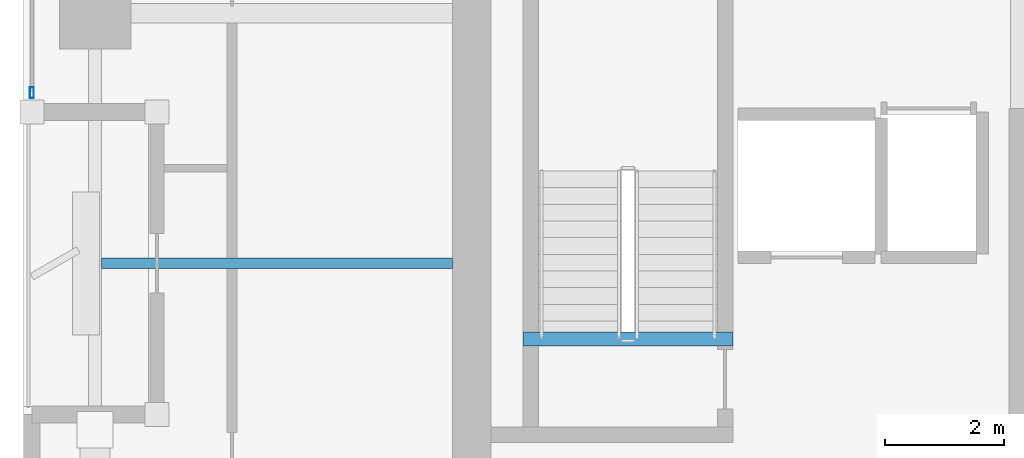
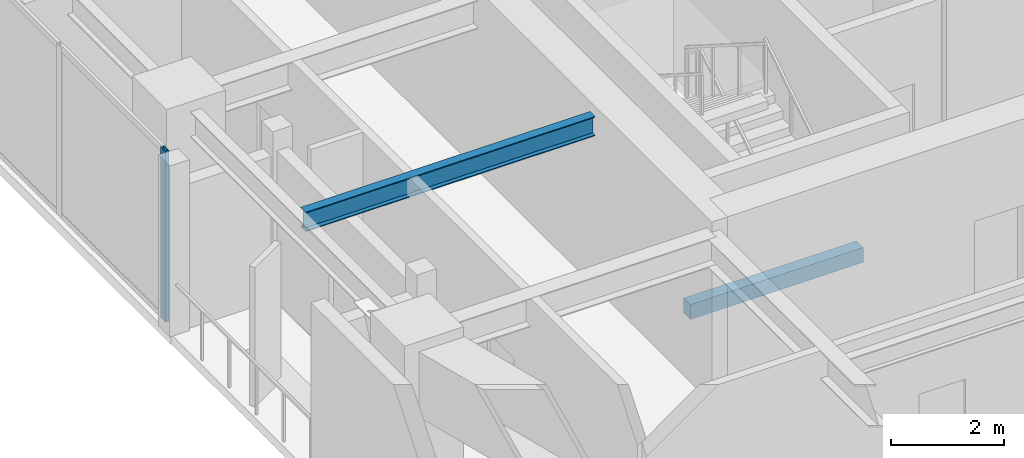
# One storey, part 2 of 21: 2 beams, 1 member, 1 element without a shape of its own.
"""IFC4 building model written with IfcOpenShell, lengths in metres."""

from ifc_helpers import new_model, si_unit, direction, frame, origin, origin_2d, place, context, subcontext, project, spatial, rectangle, hollow_rectangle, i_section, extrude, material, layer, layer_set, material_profile, profile_set, type_object, element, aggregate, save


model = new_model("IFC4")

# Units and contexts
model_context = context("Model", 3, precision=1e-05, world=origin(), true_north=direction((0.0, 1.0)))
body_context = subcontext(model_context, "Body", "Model", "MODEL_VIEW")
ifc_project = project(units=[si_unit("LENGTHUNIT", "METRE"), si_unit("AREAUNIT", "SQUARE_METRE"), si_unit("VOLUMEUNIT", "CUBIC_METRE"), si_unit("PLANEANGLEUNIT", "RADIAN"), si_unit("MASSUNIT", "GRAM", prefix="KILO")], contexts=[model_context])

# Site, building, storey
site_placement = place(None, origin())
site = spatial("IfcSite", under=ifc_project, at=site_placement, CompositionType="ELEMENT")
building_placement = place(site_placement, origin())
building = spatial("IfcBuilding", under=site, at=building_placement, Name="Kiyonajd Concourse Tower", CompositionType="ELEMENT")
storey_placement = place(building_placement, frame((0.0, 0.0, 227.10009765625)))
storey = spatial("IfcBuildingStorey", under=building, at=storey_placement, Name="L57", CompositionType="ELEMENT", Elevation=227.10009765625)

# Beams
ifc_material_1 = material(Name="Steel ASTM A992 Grade 50", Category="steel")
ifc_material_profile_1 = material_profile(ifc_material_1, i_section(OverallWidth=0.180908203125, OverallDepth=0.4169921875, WebThickness=0.010986328125, FlangeThickness=0.018310546875, at=origin_2d()), Name="W410X85")
ifc_profile_set_1 = profile_set([ifc_material_profile_1], Name="Steel ASTM A992 Grade 50")
beam_type_1 = type_object("IfcBeamType", Name="BM-JST-410", PredefinedType="JOIST", material=ifc_profile_set_1)
beam_1_placement = place(storey_placement, frame((26.507080078125, 31.800048828125, 3.471435546875), z_axis=(1.0, 0.0, 0.0), x_axis=(0.0, 1.0, 0.0)))
element("IfcBeam", 1, at=beam_1_placement, inside=storey, type_object=beam_type_1, Name="L57 West Secondary Floor Joist", PredefinedType="JOIST", context=body_context, shape_type="SweptSolid", body=[
    extrude(i_section(OverallWidth=0.180908203125, OverallDepth=0.4169921875, WebThickness=0.010986328125, FlangeThickness=0.018310546875, at=origin_2d()), origin(), (0.0, 0.0, 1.0), 5.892822265625),
])
ifc_material_2 = material(Name="Concrete C50/60", Category="concrete")
ifc_material_profile_2 = material_profile(ifc_material_2, rectangle(XDim=0.239990234375, YDim=0.320068359375, at=origin_2d()), Name="RCBM-240x320")
ifc_profile_set_2 = profile_set([ifc_material_profile_2], Name="Concrete C50/60")
beam_type_2 = type_object("IfcBeamType", Name="BM-LNT-250", PredefinedType="LINTEL", material=ifc_profile_set_2)
beam_2_placement = place(storey_placement, frame((33.590087890625, 30.530029296875, -0.16015625), z_axis=(1.0, 0.0, 0.0), x_axis=(0.0, 1.0, 0.0)))
element("IfcBeam", 2, at=beam_2_placement, inside=storey, type_object=beam_type_2, Name="L57 Stair ST1 Threshold Support Beam", PredefinedType="LINTEL", context=body_context, shape_type="SweptSolid", body=[
    extrude(rectangle(XDim=0.239990234375, YDim=0.320068359375, at=origin_2d()), origin(), (0.0, 0.0, 1.0), 3.52001953125),
])

# Curtain wall, member
ifc_material_3 = material(Name="Thermally Broken Anodised Aluminium", Category="aluminium")
ifc_layer = layer(ifc_material_3, 0.179931640625)
ifc_layer_set = layer_set([ifc_layer], Name="Thermally Broken Anodised Aluminium")
curtain_wall_type = type_object("IfcCurtainWallType", Name="CW-SYS-04", PredefinedType="NOTDEFINED", material=ifc_layer_set)
curtain_wall_placement = place(storey_placement, origin())
curtain_wall = element("IfcCurtainWall", 3, at=curtain_wall_placement, inside=storey, type_object=curtain_wall_type, Name="L57 Unitised Curtain Wall CW4", PredefinedType="NOTDEFINED")
ifc_material_profile_3 = material_profile(ifc_material_3, hollow_rectangle(XDim=0.06494140625, YDim=0.179931640625, WallThickness=0.00390625, at=origin_2d()), Name="MULL-65x180")
ifc_profile_set_3 = profile_set([ifc_material_profile_3], Name="Thermally Broken Anodised Aluminium")
member_type = type_object("IfcMemberType", Name="MB-CW-MULL1", PredefinedType="MULLION", material=ifc_profile_set_3)
member_placement = place(storey_placement, frame((25.340087890625, 34.66259765625, 0.0), z_axis=(0.0, 0.0, 1.0), x_axis=(-1.0, 0.0, 0.0)))
member = element("IfcMember", 4, at=member_placement, type_object=member_type, Name="CW4 mullion 1", PredefinedType="MULLION", context=body_context, shape_type="SweptSolid", body=[
    extrude(hollow_rectangle(XDim=0.06494140625, YDim=0.179931640625, WallThickness=0.00390625, at=origin_2d()), origin(), (0.0, 0.0, 1.0), 3.679931640625),
])
aggregate(curtain_wall, [member])

save(model, "model.ifc")
